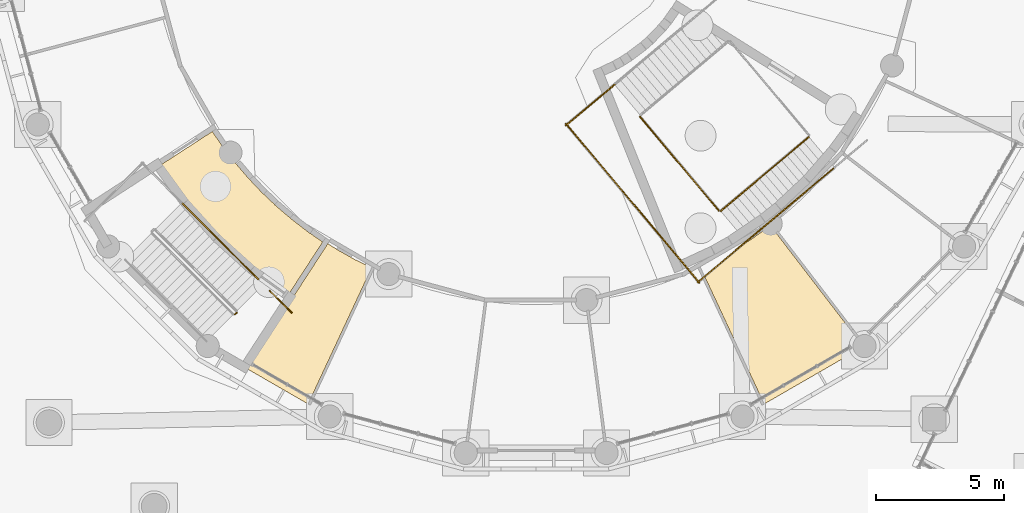
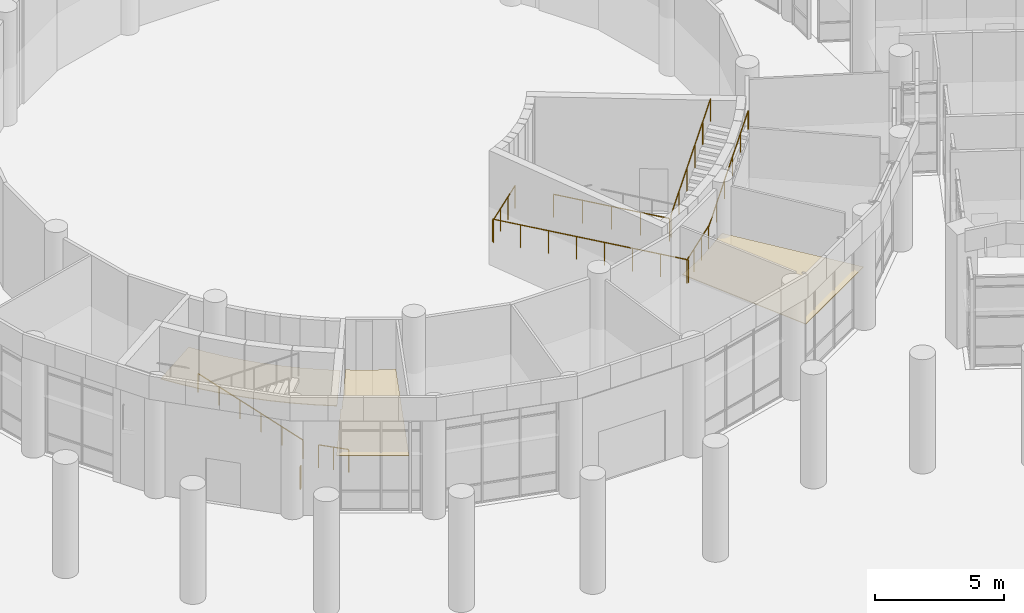
# One storey, part 122 of 146: 9 railings, 3 coverings.
"""IFC4 building model written with IfcOpenShell, lengths in metres."""

from ifc_helpers import new_model, si_unit, direction, frame, origin, origin_2d, place, context, subcontext, project, spatial, polyline, circle, outline, extrude, material, layer, layer_set, type_object, element, save


model = new_model("IFC4")

# Units and contexts
model_context = context("Model", 3, precision=1e-05, world=origin(), true_north=direction((0.0, 1.0)))
body_context = subcontext(model_context, "Body", "Model", "MODEL_VIEW")
ifc_project = project(units=[si_unit("LENGTHUNIT", "METRE"), si_unit("AREAUNIT", "SQUARE_METRE"), si_unit("VOLUMEUNIT", "CUBIC_METRE"), si_unit("PLANEANGLEUNIT", "RADIAN"), si_unit("MASSUNIT", "GRAM", prefix="KILO")], contexts=[model_context])

# Site, building, storey
site_placement = place(None, origin())
site = spatial("IfcSite", under=ifc_project, at=site_placement, CompositionType="ELEMENT")
building_placement = place(site_placement, origin())
building = spatial("IfcBuilding", under=site, at=building_placement, Name="Bougainvillea Quay General Hospital", CompositionType="ELEMENT")
storey_placement = place(building_placement, origin())
storey = spatial("IfcBuildingStorey", under=building, at=storey_placement, Name="L00", CompositionType="ELEMENT", Elevation=0.0)

# Railings
ifc_material_1 = material(Name="Stainless steel 304 balustrade", Category="steel")
railing_type_1 = type_object("IfcRailingType", Name="Stair guard 1100", PredefinedType="GUARDRAIL", material=ifc_material_1)
railing_1_placement = place(storey_placement, frame((97.54052734375, 58.641357421875, 0.0)))
element("IfcRailing", 1, at=railing_1_placement, inside=storey, type_object=railing_type_1, Name="L00 ST-H2 stair guard 6", PredefinedType="GUARDRAIL", context=body_context, shape_type="SweptSolid", body=[
    extrude(circle(Radius=0.02392578125, at=origin_2d()), frame((0.0, 0.0, 1.076171875), z_axis=(-0.705884473151, -0.708326979978, 0.0), x_axis=(0.708326979978, -0.705884473151, 0.0)), (0.0, 0.0, 1.0), 0.099853515625),
    extrude(circle(Radius=0.02099609375, at=origin_2d()), origin(), (0.0, 0.0, 1.0), 1.052001953125),
    extrude(circle(Radius=0.02099609375, at=origin_2d()), frame((-0.070556640625, -0.07080078125, 0.0)), (0.0, 0.0, 1.0), 1.052001953125),
])
railing_2_placement = place(storey_placement, frame((113.244140625, 66.26318359375, 2.699951171875)))
element("IfcRailing", 2, at=railing_2_placement, inside=storey, type_object=railing_type_1, Name="L00 ST-H3 stair guard 2", PredefinedType="GUARDRAIL", context=body_context, shape_type="SweptSolid", body=[
    extrude(circle(Radius=0.02392578125, at=origin_2d()), frame((0.0, 0.0, 1.076171875), z_axis=(0.642954765923, -0.765904151299, 0.0), x_axis=(0.765904151299, 0.642954765923, 0.0)), (0.0, 0.0, 1.0), 4.777587890625),
    extrude(circle(Radius=0.02099609375, at=origin_2d()), origin(), (0.0, 0.0, 1.0), 1.052001953125),
    extrude(circle(Radius=0.02099609375, at=origin_2d()), frame((0.76806640625, -0.914794921875, 0.0)), (0.0, 0.0, 1.0), 1.052001953125),
    extrude(circle(Radius=0.02099609375, at=origin_2d()), frame((1.535888671875, -1.82958984375, 0.0)), (0.0, 0.0, 1.0), 1.052001953125),
    extrude(circle(Radius=0.02099609375, at=origin_2d()), frame((2.3037109375, -2.744384765625, 0.0)), (0.0, 0.0, 1.0), 1.052001953125),
    extrude(circle(Radius=0.02099609375, at=origin_2d()), frame((3.07177734375, -3.6591796875, 0.0)), (0.0, 0.0, 1.0), 1.052001953125),
])
for number, where, name in (
    (3, (112.25390625, 67.520751953125, 2.699951171875), "L00 ST-H3 stair guard 3"),
    (4, (117.3828125, 61.41064453125, 2.699951171875), "L00 ST-H3 stair guard 4"),
):
    element("IfcRailing", number, at=place(storey_placement, frame(where)), inside=storey, type_object=railing_type_1, Name=name, PredefinedType="GUARDRAIL", context=body_context, shape_type="SweptSolid", body=[
        extrude(circle(Radius=0.02392578125, at=origin_2d()), frame((0.0, 0.0, 1.076171875), z_axis=(-0.765908459649, -0.642949633672, 0.0), x_axis=(0.642949633672, -0.765908459649, 0.0)), (0.0, 0.0, 1.0), 2.47998046875),
        extrude(circle(Radius=0.02099609375, at=origin_2d()), origin(), (0.0, 0.0, 1.0), 1.052001953125),
        extrude(circle(Radius=0.02099609375, at=origin_2d()), frame((-0.633056640625, -0.531494140625, 0.0)), (0.0, 0.0, 1.0), 1.052001953125),
        extrude(circle(Radius=0.02099609375, at=origin_2d()), frame((-1.266357421875, -1.06298828125, 0.0)), (0.0, 0.0, 1.0), 1.052001953125),
        extrude(circle(Radius=0.02099609375, at=origin_2d()), frame((-1.8994140625, -1.594482421875, 0.0)), (0.0, 0.0, 1.0), 1.052001953125),
    ])
railing_3_placement = place(storey_placement, frame((110.360595703125, 65.996826171875, 2.699951171875)))
element("IfcRailing", 5, at=railing_3_placement, inside=storey, type_object=railing_type_1, Name="L00 ST-H3 stair guard 5", PredefinedType="GUARDRAIL", context=body_context, shape_type="SweptSolid", body=[
    extrude(circle(Radius=0.02392578125, at=origin_2d()), frame((0.0, 0.0, 1.076171875), z_axis=(0.642918431509, -0.765934651538, 0.0), x_axis=(0.765934651538, 0.642918431509, 0.0)), (0.0, 0.0, 1.0), 8.077392578125),
    extrude(circle(Radius=0.02099609375, at=origin_2d()), origin(), (0.0, 0.0, 1.0), 1.052001953125),
    extrude(circle(Radius=0.02099609375, at=origin_2d()), frame((0.741943359375, -0.8837890625, 0.0)), (0.0, 0.0, 1.0), 1.052001953125),
    extrude(circle(Radius=0.02099609375, at=origin_2d()), frame((1.483642578125, -1.767578125, 0.0)), (0.0, 0.0, 1.0), 1.052001953125),
    extrude(circle(Radius=0.02099609375, at=origin_2d()), frame((2.2255859375, -2.6513671875, 0.0)), (0.0, 0.0, 1.0), 1.052001953125),
    extrude(circle(Radius=0.02099609375, at=origin_2d()), frame((2.967529296875, -3.535400390625, 0.0)), (0.0, 0.0, 1.0), 1.052001953125),
    extrude(circle(Radius=0.02099609375, at=origin_2d()), frame((3.70947265625, -4.419189453125, 0.0)), (0.0, 0.0, 1.0), 1.052001953125),
    extrude(circle(Radius=0.02099609375, at=origin_2d()), frame((4.451171875, -5.302978515625, 0.0)), (0.0, 0.0, 1.0), 1.052001953125),
    extrude(circle(Radius=0.02099609375, at=origin_2d()), frame((5.193115234375, -6.186767578125, 0.0)), (0.0, 0.0, 1.0), 1.052001953125),
])
railing_4_placement = place(storey_placement, frame((116.38623046875, 62.597900390625, 2.85888671875)))
element("IfcRailing", 6, at=railing_4_placement, inside=storey, type_object=railing_type_1, Name="L00 ST-H3 stair guard 6", PredefinedType="GUARDRAIL", context=body_context, shape_type="SweptSolid", body=[
    extrude(circle(Radius=0.02392578125, at=origin_2d()), frame((0.0, 0.0, 1.076171875), z_axis=(0.666241930275, 0.559207118567, 0.493365066546), x_axis=(-0.642898083796, 0.765951730758, 0.0)), (0.0, 0.0, 1.0), 5.150390625),
    extrude(circle(Radius=0.02099609375, at=origin_2d()), origin(), (0.0, 0.0, 1.0), 1.052001953125),
    extrude(circle(Radius=0.02099609375, at=origin_2d()), frame((0.686279296875, 0.575927734375, 0.50830078125)), (0.0, 0.0, 1.0), 1.052001953125),
    extrude(circle(Radius=0.02099609375, at=origin_2d()), frame((1.37255859375, 1.152099609375, 1.016357421875)), (0.0, 0.0, 1.0), 1.052001953125),
    extrude(circle(Radius=0.02099609375, at=origin_2d()), frame((2.058837890625, 1.72802734375, 1.524658203125)), (0.0, 0.0, 1.0), 1.052001953125),
    extrude(circle(Radius=0.02099609375, at=origin_2d()), frame((2.7451171875, 2.30419921875, 2.03271484375)), (0.0, 0.0, 1.0), 1.052001953125),
    extrude(circle(Radius=0.02099609375, at=origin_2d()), frame((3.431396484375, 2.880126953125, 2.541015625)), (0.0, 0.0, 1.0), 1.052001953125),
])
railing_5_placement = place(storey_placement, frame((99.680419921875, 58.641357421875, 0.0)))
element("IfcRailing", 7, at=railing_5_placement, inside=storey, type_object=railing_type_1, Name="L00 ST-H2 stair guard 7", PredefinedType="GUARDRAIL", context=body_context, shape_type="SweptSolid", body=[
    extrude(circle(Radius=0.02392578125, at=origin_2d()), frame((0.0, 0.0, 1.076171875), z_axis=(-0.707207429791, 0.707006118254, 0.0), x_axis=(-0.707006118254, -0.707207429791, 0.0)), (0.0, 0.0, 1.0), 1.212646484375),
    extrude(circle(Radius=0.02099609375, at=origin_2d()), origin(), (0.0, 0.0, 1.0), 1.052001953125),
    extrude(circle(Radius=0.02099609375, at=origin_2d()), frame((-0.4287109375, 0.4287109375, 0.0)), (0.0, 0.0, 1.0), 1.052001953125),
    extrude(circle(Radius=0.02099609375, at=origin_2d()), frame((-0.857666015625, 0.857421875, 0.0)), (0.0, 0.0, 1.0), 1.052001953125),
])
ifc_material_2 = material(Name="Stainless steel 304 handrail", Category="steel")
railing_type_2 = type_object("IfcRailingType", Name="Stair handrail 900", PredefinedType="HANDRAIL", material=ifc_material_2)
railing_6_placement = place(storey_placement, frame((117.3828125, 61.41064453125, 2.85888671875)))
element("IfcRailing", 8, at=railing_6_placement, inside=storey, type_object=railing_type_2, Name="L00 ST-H3 stair handrail 2", PredefinedType="HANDRAIL", context=body_context, shape_type="SweptSolid", body=[
    extrude(circle(Radius=0.02392578125, at=origin_2d()), frame((0.0, 0.0, 0.8759765625), z_axis=(0.666224269616, 0.559239696402, 0.493351988486), x_axis=(-0.642930054377, 0.76592489526, 0.0)), (0.0, 0.0, 1.0), 5.150390625),
    extrude(circle(Radius=0.02099609375, at=origin_2d()), origin(), (0.0, 0.0, 1.0), 0.851806640625),
    extrude(circle(Radius=0.02099609375, at=origin_2d()), frame((0.686279296875, 0.576171875, 0.50830078125)), (0.0, 0.0, 1.0), 0.851806640625),
    extrude(circle(Radius=0.02099609375, at=origin_2d()), frame((1.37255859375, 1.152099609375, 1.016357421875)), (0.0, 0.0, 1.0), 0.851806640625),
    extrude(circle(Radius=0.02099609375, at=origin_2d()), frame((2.058837890625, 1.728271484375, 1.524658203125)), (0.0, 0.0, 1.0), 0.851806640625),
    extrude(circle(Radius=0.02099609375, at=origin_2d()), frame((2.7451171875, 2.30419921875, 2.03271484375)), (0.0, 0.0, 1.0), 0.851806640625),
    extrude(circle(Radius=0.02099609375, at=origin_2d()), frame((3.431396484375, 2.88037109375, 2.541015625)), (0.0, 0.0, 1.0), 0.851806640625),
])
railing_7_placement = place(storey_placement, frame((98.384521484375, 59.937255859375, 0.311767578125)))
element("IfcRailing", 9, at=railing_7_placement, inside=storey, type_object=railing_type_2, Name="L00 ST-H2 stair handrail 1", PredefinedType="HANDRAIL", context=body_context, shape_type="SweptSolid", body=[
    extrude(circle(Radius=0.02392578125, at=origin_2d()), frame((0.0, 0.0, 0.8759765625), z_axis=(-0.61507876395, 0.615028326987, 0.493374372198), x_axis=(-0.707077787736, -0.707135773449, 0.0)), (0.0, 0.0, 1.0), 4.840576171875),
    extrude(circle(Radius=0.02099609375, at=origin_2d()), origin(), (0.0, 0.0, 1.0), 0.851806640625),
    extrude(circle(Radius=0.02099609375, at=origin_2d()), frame((-0.595458984375, 0.595458984375, 0.4775390625)), (0.0, 0.0, 1.0), 0.851806640625),
    extrude(circle(Radius=0.02099609375, at=origin_2d()), frame((-1.19091796875, 1.19091796875, 0.955322265625)), (0.0, 0.0, 1.0), 0.851806640625),
    extrude(circle(Radius=0.02099609375, at=origin_2d()), frame((-1.786376953125, 1.7861328125, 1.432861328125)), (0.0, 0.0, 1.0), 0.851806640625),
    extrude(circle(Radius=0.02099609375, at=origin_2d()), frame((-2.3818359375, 2.381591796875, 1.91064453125)), (0.0, 0.0, 1.0), 0.851806640625),
    extrude(circle(Radius=0.02099609375, at=origin_2d()), frame((-2.977294921875, 2.97705078125, 2.38818359375)), (0.0, 0.0, 1.0), 0.851806640625),
])

# Coverings
ifc_material_3 = material(Name="Mineral fibre ceiling tile")
ifc_layer = layer(ifc_material_3, 0.030029296875)
ifc_layer_set = layer_set([ifc_layer], Name="Mineral fibre ceiling tile")
covering_type = type_object("IfcCoveringType", Name="Suspended ceiling mineral fibre tile", PredefinedType="CEILING", material=ifc_layer_set)
covering_1_placement = place(storey_placement, frame((0.0, 0.0, 2.699951171875)))
element("IfcCovering", 10, at=covering_1_placement, inside=storey, type_object=covering_type, Name="Ceiling Smoke-proof Vestibule ST-H2", PredefinedType="CEILING", context=body_context, shape_type="SweptSolid", body=[
    extrude(outline(polyline([(100.4013671875, 61.724853515625), (100.32421875, 61.7841796875), (100.243896484375, 61.83935546875), (100.246826171875, 61.843505859375), (99.7744140625, 62.205810546875), (99.77099609375, 62.201904296875), (99.697021484375, 62.265380859375), (99.619873046875, 62.324462890625), (99.622802734375, 62.32861328125), (99.170166015625, 62.71533203125), (99.166748046875, 62.711669921875), (99.09619140625, 62.778564453125), (99.02197265625, 62.842041015625), (99.025390625, 62.845703125), (98.593017578125, 63.25537109375), (98.589111328125, 63.251708984375), (98.522216796875, 63.322265625), (98.45166015625, 63.38916015625), (98.455322265625, 63.39306640625), (98.045654296875, 63.8251953125), (98.0419921875, 63.822021484375), (97.978515625, 63.89599609375), (97.91162109375, 63.966796875), (97.915283203125, 63.97021484375), (97.528564453125, 64.4228515625), (97.5244140625, 64.419677734375), (97.46533203125, 64.4970703125), (97.402099609375, 64.571044921875), (97.406005859375, 64.574462890625), (97.04345703125, 65.046875), (97.039306640625, 65.0439453125), (96.984130859375, 65.124267578125), (96.9248046875, 65.201416015625), (96.9287109375, 65.20458984375), (96.5927734375, 65.693115234375), (94.57958984375, 64.385986328125), (95.0419921875, 63.7138671875), (95.599853515625, 62.987060546875), (96.1953125, 62.2900390625), (96.82568359375, 61.625732421875), (97.489990234375, 60.995361328125), (98.18701171875, 60.399658203125), (98.913818359375, 59.841796875), (99.5859375, 59.379638671875), (100.892822265625, 61.392333984375), (100.404541015625, 61.728759765625), (100.4013671875, 61.724853515625)])), origin(), (0.0, 0.0, 1.0), 0.030029296875),
])
covering_2_placement = place(storey_placement, frame((0.0, 0.0, 2.699951171875)))
element("IfcCovering", 11, at=covering_2_placement, inside=storey, type_object=covering_type, Name="Ceiling Cafe 00H0211", PredefinedType="CEILING", context=body_context, shape_type="SweptSolid", body=[
    extrude(outline(polyline([(121.9404296875, 57.314697265625), (118.34130859375, 62.00439453125), (118.3310546875, 61.993896484375), (118.318603515625, 62.00634765625), (118.148681640625, 61.908203125), (117.562255859375, 61.48876953125), (117.56396484375, 61.486328125), (117.52294921875, 61.46044921875), (117.4833984375, 61.43212890625), (117.481689453125, 61.4345703125), (116.927978515625, 61.0869140625), (116.928955078125, 61.0849609375), (116.886474609375, 61.06103515625), (116.84521484375, 61.03515625), (116.843994140625, 61.037109375), (116.27490234375, 60.7177734375), (116.276123046875, 60.715576171875), (116.232421875, 60.69384765625), (116.18994140625, 60.669921875), (116.188720703125, 60.672119140625), (115.60498046875, 60.3818359375), (118.075439453125, 55.083984375), (121.9404296875, 57.314697265625)])), origin(), (0.0, 0.0, 1.0), 0.030029296875),
])
covering_3_placement = place(storey_placement, frame((0.0, 0.0, 2.699951171875)))
element("IfcCovering", 12, at=covering_3_placement, inside=storey, type_object=covering_type, Name="Ceiling Cafe 00H0321", PredefinedType="CEILING", context=body_context, shape_type="SweptSolid", body=[
    extrude(outline(polyline([(100.324462890625, 55.083984375), (102.795166015625, 60.382080078125), (102.192138671875, 60.68310546875), (102.19091796875, 60.680908203125), (102.1484375, 60.704833984375), (102.10498046875, 60.7265625), (102.10595703125, 60.728759765625), (101.517822265625, 61.06005859375), (101.5166015625, 61.05810546875), (101.475341796875, 61.083984375), (101.432861328125, 61.10791015625), (101.43408203125, 61.110107421875), (101.08935546875, 61.327880859375), (99.7509765625, 59.26611328125), (99.753173828125, 59.2646484375), (99.697265625, 59.183349609375), (99.643310546875, 59.1005859375), (99.64111328125, 59.10205078125), (99.6396484375, 59.099853515625), (99.600830078125, 59.126708984375), (97.888427734375, 56.489990234375), (100.324462890625, 55.083984375)])), origin(), (0.0, 0.0, 1.0), 0.030029296875),
])

save(model, "model.ifc")
